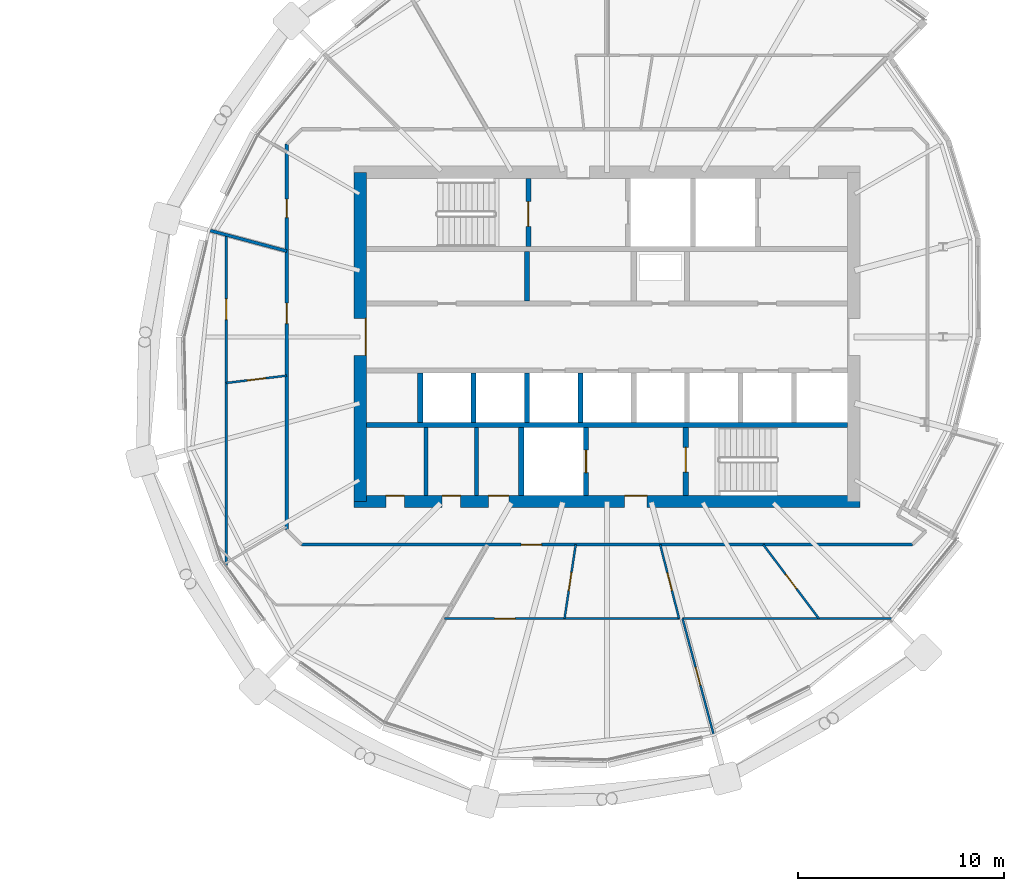
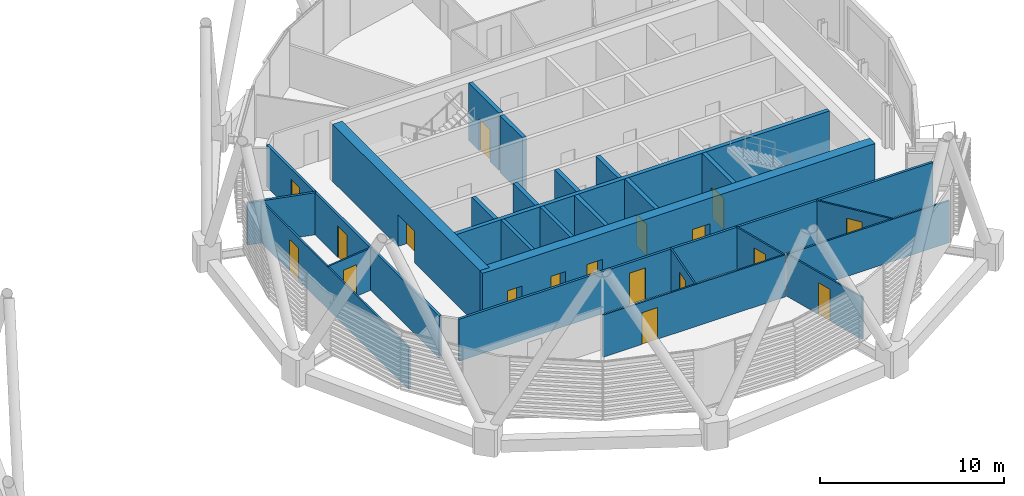
# One storey, part 26 of 35: 25 walls, 18 doors, 18 openings.
"""IFC4 building model written with IfcOpenShell, lengths in metres."""

from ifc_helpers import new_model, si_unit, direction, frame, frame_2d, origin, place, context, subcontext, project, spatial, rectangle, extrude, material, layer, layer_set, type_object, element, fill, save


model = new_model("IFC4")

# Units and contexts
model_context = context("Model", 3, precision=1e-05, world=origin(), true_north=direction((0.0, 1.0)))
body_context = subcontext(model_context, "Body", "Model", "MODEL_VIEW")
ifc_project = project(units=[si_unit("LENGTHUNIT", "METRE"), si_unit("AREAUNIT", "SQUARE_METRE"), si_unit("VOLUMEUNIT", "CUBIC_METRE"), si_unit("PLANEANGLEUNIT", "RADIAN"), si_unit("MASSUNIT", "GRAM", prefix="KILO")], contexts=[model_context])

# Site, building, storey
site_placement = place(None, origin())
site = spatial("IfcSite", under=ifc_project, at=site_placement, CompositionType="ELEMENT")
building_placement = place(site_placement, origin())
building = spatial("IfcBuilding", under=site, at=building_placement, Name="Rimbun Link Towers", CompositionType="ELEMENT")
storey_placement = place(building_placement, frame((0.0, 0.0, 181.699951171875)))
storey = spatial("IfcBuildingStorey", under=building, at=storey_placement, Name="L44", CompositionType="ELEMENT", Elevation=181.699951171875)

# Walls
ifc_material_1 = material(Name="Masonry blockwork", Category="masonry")
ifc_layer_1 = layer(ifc_material_1, 0.199951171875)
ifc_layer_set_1 = layer_set([ifc_layer_1], Name="Core partition 200")
wall_type_1 = type_object("IfcWallType", Name="Core partition 200", PredefinedType="PARTITIONING", material=ifc_layer_set_1)
for number, where, z_axis, x_axis, name in (
    (1, (22.949951171875, -4.39990234375, 0.0), (0.0, 0.0, 1.0), (0.0, -1.0, 0.0), "L44 T2 core wall C1"),
    (2, (25.39990234375, -4.39990234375, 0.0), (0.0, 0.0, 1.0), (0.0, -1.0, 0.0), "L44 T2 core wall C2"),
):
    element("IfcWall", number, at=place(storey_placement, frame(where, z_axis=z_axis, x_axis=x_axis)), inside=storey, type_object=wall_type_1, Name=name, PredefinedType="PARTITIONING", context=body_context, shape_type="SweptSolid", body=[
        extrude(rectangle(XDim=3.300048828125, YDim=0.199951171875, at=frame_2d((1.64990234375, 0.0))), origin(), (0.0, 0.0, 1.0), 3.800048828125),
    ])

# Wall, openings, doors
ifc_material_2 = material(Name="Concrete C60/75", Category="concrete")
ifc_layer_2 = layer(ifc_material_2, 0.60009765625)
ifc_layer_set_2 = layer_set([ifc_layer_2], Name="Core shear wall 600")
wall_type_2 = type_object("IfcWallType", Name="Core shear wall 600", PredefinedType="SHEAR", material=ifc_layer_set_2)
wall_1_placement = place(storey_placement, frame((19.449951171875, -8.0, 0.0), z_axis=(0.0, 0.0, 1.0), x_axis=(1.0, 0.0, 0.0)))
wall_1 = element("IfcWall", 3, at=wall_1_placement, inside=storey, type_object=wall_type_2, Name="L44 T2 core wall S", PredefinedType="SHEAR", context=body_context, shape_type="SweptSolid", body=[
    extrude(rectangle(XDim=24.60009765625, YDim=0.60009765625, at=frame_2d((12.300048828125, 0.0))), origin(), (0.0, 0.0, 1.0), 3.800048828125),
])
opening_1_placement = place(wall_1_placement, frame((13.14990234375, 0.0, 0.0)))
opening_1 = element("IfcOpeningElement", 4, at=opening_1_placement, cuts=wall_1, Name="Opening C2DCF01S", PredefinedType="OPENING", context=body_context, shape_type="SweptSolid", body=[
    extrude(rectangle(XDim=1.10009765625, YDim=2.10009765625, at=frame_2d((0.550048828125, 1.050048828125))), frame((0.0, 0.31005859375, 0.0), z_axis=(0.0, -1.0, 0.0), x_axis=(1.0, 0.0, 0.0)), (0.0, 0.0, 1.0), 0.6201171875),
])
opening_2_placement = place(wall_1_placement, frame((1.550048828125, 0.0, 0.0)))
opening_2 = element("IfcOpeningElement", 5, at=opening_2_placement, cuts=wall_1, Name="Opening C2DWC02S", PredefinedType="OPENING", context=body_context, shape_type="SweptSolid", body=[
    extrude(rectangle(XDim=0.89990234375, YDim=2.10009765625, at=frame_2d((0.449951171875, 1.050048828125))), frame((0.0, 0.31005859375, 0.0), z_axis=(0.0, -1.0, 0.0), x_axis=(1.0, 0.0, 0.0)), (0.0, 0.0, 1.0), 0.6201171875),
])
opening_3_placement = place(wall_1_placement, frame((4.27490234375, 0.0, 0.0)))
opening_3 = element("IfcOpeningElement", 6, at=opening_3_placement, cuts=wall_1, Name="Opening C2DWC03S", PredefinedType="OPENING", context=body_context, shape_type="SweptSolid", body=[
    extrude(rectangle(XDim=0.89990234375, YDim=2.10009765625, at=frame_2d((0.449951171875, 1.050048828125))), frame((0.0, 0.31005859375, 0.0), z_axis=(0.0, -1.0, 0.0), x_axis=(1.0, 0.0, 0.0)), (0.0, 0.0, 1.0), 0.6201171875),
])
opening_4_placement = place(wall_1_placement, frame((6.52490234375, 0.0, 0.0)))
opening_4 = element("IfcOpeningElement", 7, at=opening_4_placement, cuts=wall_1, Name="Opening C2DAW04S", PredefinedType="OPENING", context=body_context, shape_type="SweptSolid", body=[
    extrude(rectangle(XDim=1.0, YDim=2.10009765625, at=frame_2d((0.5, 1.050048828125))), frame((0.0, 0.31005859375, 0.0), z_axis=(0.0, -1.0, 0.0), x_axis=(1.0, 0.0, 0.0)), (0.0, 0.0, 1.0), 0.6201171875),
])
ifc_material_3 = material(Name="Timber", Category="wood")
door_type_1 = type_object("IfcDoorType", Name="Accessible WC door", OperationType="SINGLE_SWING_LEFT", PredefinedType="DOOR", material=ifc_material_3)
door_1_placement = place(opening_4_placement, origin())
door_1 = element("IfcDoor", 8, at=door_1_placement, inside=storey, type_object=door_type_1, Name="L44 T2 accessible wc door", OperationType="SINGLE_SWING_LEFT", OverallHeight=2.10009765625, OverallWidth=1.0, PredefinedType="DOOR", context=body_context, shape_type="SweptSolid", body=[
    extrude(rectangle(XDim=1.0, YDim=2.10009765625, at=frame_2d((0.5, 1.050048828125))), frame((0.0, 0.2998046875, 0.0), z_axis=(0.0, -1.0, 0.0), x_axis=(1.0, 0.0, 0.0)), (0.0, 0.0, 1.0), 0.050048828125),
])
fill(opening_4, door_1)
ifc_material_4 = material(Name="Steel fire door set", Category="steel")
door_type_2 = type_object("IfcDoorType", Name="Core fire door single", OperationType="SINGLE_SWING_LEFT", PredefinedType="DOOR", material=ifc_material_4)
door_2_placement = place(opening_1_placement, origin())
door_2 = element("IfcDoor", 9, at=door_2_placement, inside=storey, type_object=door_type_2, Name="L44 T2 firefighting lobby s door", OperationType="SINGLE_SWING_RIGHT", OverallHeight=2.10009765625, OverallWidth=1.10009765625, PredefinedType="DOOR", context=body_context, shape_type="SweptSolid", body=[
    extrude(rectangle(XDim=1.10009765625, YDim=2.10009765625, at=frame_2d((0.550048828125, 1.050048828125))), frame((0.0, 0.2998046875, 0.0), z_axis=(0.0, -1.0, 0.0), x_axis=(1.0, 0.0, 0.0)), (0.0, 0.0, 1.0), 0.050048828125),
])
fill(opening_1, door_2)
ifc_material_5 = material(Name="Timber", Category="wood")
door_type_3 = type_object("IfcDoorType", Name="WC door", OperationType="SINGLE_SWING_LEFT", PredefinedType="DOOR", material=ifc_material_5)
door_3_placement = place(opening_2_placement, origin())
door_3 = element("IfcDoor", 10, at=door_3_placement, inside=storey, type_object=door_type_3, Name="L44 T2 male wc door", OperationType="SINGLE_SWING_RIGHT", OverallHeight=2.10009765625, OverallWidth=0.89990234375, PredefinedType="DOOR", context=body_context, shape_type="SweptSolid", body=[
    extrude(rectangle(XDim=0.89990234375, YDim=2.10009765625, at=frame_2d((0.449951171875, 1.050048828125))), frame((0.0, 0.2998046875, 0.0), z_axis=(0.0, -1.0, 0.0), x_axis=(1.0, 0.0, 0.0)), (0.0, 0.0, 1.0), 0.050048828125),
])
fill(opening_2, door_3)
door_4_placement = place(opening_3_placement, origin())
door_4 = element("IfcDoor", 11, at=door_4_placement, inside=storey, type_object=door_type_3, Name="L44 T2 female wc door", OperationType="SINGLE_SWING_RIGHT", OverallHeight=2.10009765625, OverallWidth=0.89990234375, PredefinedType="DOOR", context=body_context, shape_type="SweptSolid", body=[
    extrude(rectangle(XDim=0.89990234375, YDim=2.10009765625, at=frame_2d((0.449951171875, 1.050048828125))), frame((0.0, 0.2998046875, 0.0), z_axis=(0.0, -1.0, 0.0), x_axis=(1.0, 0.0, 0.0)), (0.0, 0.0, 1.0), 0.050048828125),
])
fill(opening_3, door_4)

# Wall, opening, door
wall_2_placement = place(storey_placement, frame((19.75, -8.0, 0.0), z_axis=(0.0, 0.0, 1.0), x_axis=(0.0, 1.0, 0.0)))
wall_2 = element("IfcWall", 12, at=wall_2_placement, inside=storey, type_object=wall_type_2, Name="L44 T2 core wall W", PredefinedType="SHEAR", context=body_context, shape_type="SweptSolid", body=[
    extrude(rectangle(XDim=16.0, YDim=0.60009765625, at=frame_2d((8.0, 0.0))), origin(), (0.0, 0.0, 1.0), 3.800048828125),
])
opening_5_placement = place(wall_2_placement, frame((7.10009765625, 0.0, 0.0)))
opening_5 = element("IfcOpeningElement", 13, at=opening_5_placement, cuts=wall_2, Name="Opening C2DCL01W", PredefinedType="OPENING", context=body_context, shape_type="SweptSolid", body=[
    extrude(rectangle(XDim=1.800048828125, YDim=2.10009765625, at=frame_2d((0.89990234375, 1.050048828125))), frame((0.0, 0.31005859375, 0.0), z_axis=(0.0, -1.0, 0.0), x_axis=(1.0, 0.0, 0.0)), (0.0, 0.0, 1.0), 0.6201171875),
])
ifc_material_6 = material(Name="Steel fire door set", Category="steel")
door_type_4 = type_object("IfcDoorType", Name="Core lobby door double", OperationType="DOUBLE_DOOR_SINGLE_SWING", PredefinedType="DOOR", material=ifc_material_6)
door_5_placement = place(opening_5_placement, origin())
door_5 = element("IfcDoor", 14, at=door_5_placement, inside=storey, type_object=door_type_4, Name="L44 T2 lift lobby door", OperationType="DOUBLE_DOOR_SINGLE_SWING", OverallHeight=2.10009765625, OverallWidth=1.800048828125, PredefinedType="DOOR", context=body_context, shape_type="SweptSolid", body=[
    extrude(rectangle(XDim=1.800048828125, YDim=2.10009765625, at=frame_2d((0.89990234375, 1.050048828125))), frame((0.0, -0.25, 0.0), z_axis=(0.0, -1.0, 0.0), x_axis=(1.0, 0.0, 0.0)), (0.0, 0.0, 1.0), 0.050048828125),
])
fill(opening_5, door_5)

ifc_material_7 = material(Name="Plasterboard on steel stud, mineral wool", Category="steel")
ifc_layer_3 = layer(ifc_material_7, 0.14990234375)
ifc_layer_set_3 = layer_set([ifc_layer_3], Name="Corridor wall EI 30 150 mm")
wall_type_3 = type_object("IfcWallType", Name="Corridor wall EI 30 150 mm", PredefinedType="PARTITIONING", material=ifc_layer_set_3)
wall_3_placement = place(storey_placement, frame((46.603759765625, -10.094970703125, 0.0), z_axis=(0.0, 0.0, 1.0), x_axis=(-1.0, 0.0, 0.0)))
wall_3 = element("IfcWall", 15, at=wall_3_placement, inside=storey, type_object=wall_type_3, Name="Corridor wall EI 30 150 mm", PredefinedType="PARTITIONING", context=body_context, shape_type="SweptSolid", body=[
    extrude(rectangle(XDim=29.70751953125, YDim=0.14990234375, at=frame_2d((14.853759765625, 0.0))), origin(), (0.0, 0.0, 1.0), 2.7890625),
])
opening_6_placement = place(wall_3_placement, frame((18.02978515625, 0.0, 0.0)))
opening_6 = element("IfcOpeningElement", 16, at=opening_6_placement, cuts=wall_3, Name="Opening D01", PredefinedType="OPENING", context=body_context, shape_type="SweptSolid", body=[
    extrude(rectangle(XDim=1.0, YDim=2.10009765625, at=frame_2d((0.5, 1.050048828125))), frame((0.0, 0.0849609375, 0.0), z_axis=(0.0, -1.0, 0.0), x_axis=(1.0, 0.0, 0.0)), (0.0, 0.0, 1.0), 0.169921875),
])
ifc_material_8 = material(Name="Fire-resisting timber door leaf", Category="wood")
door_type_5 = type_object("IfcDoorType", Name="Fire door FD30S 1000", OperationType="NOTDEFINED", PredefinedType="DOOR", material=ifc_material_8)
door_6_placement = place(opening_6_placement, origin())
door_6 = element("IfcDoor", 17, at=door_6_placement, inside=storey, type_object=door_type_5, Name="Fire door FD30S 1000 to Tenant lobby", OperationType="SINGLE_SWING_RIGHT", OverallHeight=2.10009765625, OverallWidth=1.0, PredefinedType="DOOR", context=body_context, shape_type="SweptSolid", body=[
    extrude(rectangle(XDim=1.0, YDim=2.10009765625, at=frame_2d((0.5, 1.050048828125))), frame((0.0, 0.02490234375, 0.0), z_axis=(0.0, -1.0, 0.0), x_axis=(1.0, 0.0, 0.0)), (0.0, 0.0, 1.0), 0.050048828125),
])
fill(opening_6, door_6)

# Wall, openings, doors
wall_4_placement = place(storey_placement, frame((16.175048828125, -9.373779296875, 0.0), z_axis=(0.0, 0.0, 1.0), x_axis=(0.0, 1.0, 0.0)))
wall_4 = element("IfcWall", 18, at=wall_4_placement, inside=storey, type_object=wall_type_3, Name="Corridor wall EI 30 150 mm", PredefinedType="PARTITIONING", context=body_context, shape_type="SweptSolid", body=[
    extrude(rectangle(XDim=18.74755859375, YDim=0.14990234375, at=frame_2d((9.373779296875, 0.0))), origin(), (0.0, 0.0, 1.0), 2.7890625),
])
opening_7_placement = place(wall_4_placement, frame((15.17529296875, 0.0, 0.0)))
opening_7 = element("IfcOpeningElement", 19, at=opening_7_placement, cuts=wall_4, Name="Opening D02", PredefinedType="OPENING", context=body_context, shape_type="SweptSolid", body=[
    extrude(rectangle(XDim=0.89990234375, YDim=2.10009765625, at=frame_2d((0.449951171875, 1.050048828125))), frame((0.0, 0.0849609375, 0.0), z_axis=(0.0, -1.0, 0.0), x_axis=(1.0, 0.0, 0.0)), (0.0, 0.0, 1.0), 0.169921875),
])
opening_8_placement = place(wall_4_placement, frame((10.01904296875, 0.0, 0.0)))
opening_8 = element("IfcOpeningElement", 20, at=opening_8_placement, cuts=wall_4, Name="Opening D01", PredefinedType="OPENING", context=body_context, shape_type="SweptSolid", body=[
    extrude(rectangle(XDim=1.0, YDim=2.10009765625, at=frame_2d((0.5, 1.050048828125))), frame((0.0, 0.0849609375, 0.0), z_axis=(0.0, -1.0, 0.0), x_axis=(1.0, 0.0, 0.0)), (0.0, 0.0, 1.0), 0.169921875),
])
door_7_placement = place(opening_8_placement, origin())
door_7 = element("IfcDoor", 21, at=door_7_placement, inside=storey, type_object=door_type_5, Name="Fire door FD30S 1000 to Tenant lobby", OperationType="SINGLE_SWING_LEFT", OverallHeight=2.10009765625, OverallWidth=1.0, PredefinedType="DOOR", context=body_context, shape_type="SweptSolid", body=[
    extrude(rectangle(XDim=1.0, YDim=2.10009765625, at=frame_2d((0.5, 1.050048828125))), frame((0.0, 0.02490234375, 0.0), z_axis=(0.0, -1.0, 0.0), x_axis=(1.0, 0.0, 0.0)), (0.0, 0.0, 1.0), 0.050048828125),
])
fill(opening_8, door_7)
ifc_material_9 = material(Name="Fire-resisting timber door leaf", Category="wood")
door_type_6 = type_object("IfcDoorType", Name="Fire door FD30S 900", OperationType="NOTDEFINED", PredefinedType="DOOR", material=ifc_material_9)
door_8_placement = place(opening_7_placement, origin())
door_8 = element("IfcDoor", 22, at=door_8_placement, inside=storey, type_object=door_type_6, Name="Fire door FD30S 900 to Meeting room", OperationType="SINGLE_SWING_RIGHT", OverallHeight=2.10009765625, OverallWidth=0.89990234375, PredefinedType="DOOR", context=body_context, shape_type="SweptSolid", body=[
    extrude(rectangle(XDim=0.89990234375, YDim=2.10009765625, at=frame_2d((0.449951171875, 1.050048828125))), frame((0.0, 0.02490234375, 0.0), z_axis=(0.0, -1.0, 0.0), x_axis=(1.0, 0.0, 0.0)), (0.0, 0.0, 1.0), 0.050048828125),
])
fill(opening_7, door_8)

# Wall, opening, door
ifc_material_10 = material(Name="Plasterboard on steel stud", Category="steel")
ifc_layer_4 = layer(ifc_material_10, 0.10009765625)
ifc_layer_set_4 = layer_set([ifc_layer_4], Name="Plasterboard partition 100 mm")
wall_type_4 = type_object("IfcWallType", Name="Plasterboard partition 100 mm", PredefinedType="PARTITIONING", material=ifc_layer_set_4)
wall_5_placement = place(storey_placement, frame((16.175048828125, -1.8828125, 0.0), z_axis=(0.0, 0.0, 1.0), x_axis=(-0.992779371336, -0.119954657473, 0.0)))
wall_5 = element("IfcWall", 23, at=wall_5_placement, inside=storey, type_object=wall_type_4, Name="Plasterboard partition 100 mm", PredefinedType="PARTITIONING", context=body_context, shape_type="SweptSolid", body=[
    extrude(rectangle(XDim=2.96142578125, YDim=0.10009765625, at=frame_2d((1.480712890625, 0.0))), origin(), (0.0, 0.0, 1.0), 2.7890625),
])
opening_9_placement = place(wall_5_placement, frame((1.03076171875, 0.0, 0.0)))
opening_9 = element("IfcOpeningElement", 24, at=opening_9_placement, cuts=wall_5, Name="Opening D04", PredefinedType="OPENING", context=body_context, shape_type="SweptSolid", body=[
    extrude(rectangle(XDim=0.89990234375, YDim=2.10009765625, at=frame_2d((0.449951171875, 1.050048828125))), frame((0.0, 0.06005859375, 0.0), z_axis=(0.0, -1.0, 0.0), x_axis=(1.0, 0.0, 0.0)), (0.0, 0.0, 1.0), 0.1201171875),
])
ifc_material_11 = material(Name="Timber door leaf", Category="wood")
door_type_7 = type_object("IfcDoorType", Name="Flush door 900", OperationType="NOTDEFINED", PredefinedType="DOOR", material=ifc_material_11)
door_9_placement = place(opening_9_placement, origin())
door_9 = element("IfcDoor", 25, at=door_9_placement, inside=storey, type_object=door_type_7, Name="Flush door 900 to Data room", OperationType="SINGLE_SWING_LEFT", OverallHeight=2.10009765625, OverallWidth=0.89990234375, PredefinedType="DOOR", context=body_context, shape_type="SweptSolid", body=[
    extrude(rectangle(XDim=0.89990234375, YDim=2.10009765625, at=frame_2d((0.449951171875, 1.050048828125))), frame((0.0, 0.02490234375, 0.0), z_axis=(0.0, -1.0, 0.0), x_axis=(1.0, 0.0, 0.0)), (0.0, 0.0, 1.0), 0.050048828125),
])
fill(opening_9, door_9)

wall_6_placement = place(storey_placement, frame((13.235107421875, -11.111328125, 0.0), z_axis=(0.0, 0.0, 1.0), x_axis=(0.0, 1.0, 0.0)))
wall_6 = element("IfcWall", 26, at=wall_6_placement, inside=storey, type_object=wall_type_4, Name="Plasterboard partition 100 mm", PredefinedType="PARTITIONING", context=body_context, shape_type="SweptSolid", body=[
    extrude(rectangle(XDim=16.072265625, YDim=0.10009765625, at=frame_2d((8.0361328125, 0.0))), origin(), (0.0, 0.0, 1.0), 2.7890625),
])
opening_10_placement = place(wall_6_placement, frame((11.9580078125, 0.0, 0.0)))
opening_10 = element("IfcOpeningElement", 27, at=opening_10_placement, cuts=wall_6, Name="Opening D03", PredefinedType="OPENING", context=body_context, shape_type="SweptSolid", body=[
    extrude(rectangle(XDim=1.0, YDim=2.10009765625, at=frame_2d((0.5, 1.050048828125))), frame((0.0, 0.06005859375, 0.0), z_axis=(0.0, -1.0, 0.0), x_axis=(1.0, 0.0, 0.0)), (0.0, 0.0, 1.0), 0.1201171875),
])
ifc_material_12 = material(Name="Timber door leaf", Category="wood")
door_type_8 = type_object("IfcDoorType", Name="Flush door 1000", OperationType="NOTDEFINED", PredefinedType="DOOR", material=ifc_material_12)
door_10_placement = place(opening_10_placement, origin())
door_10 = element("IfcDoor", 28, at=door_10_placement, inside=storey, type_object=door_type_8, Name="Flush door 1000 to Trading floor", OperationType="SINGLE_SWING_RIGHT", OverallHeight=2.10009765625, OverallWidth=1.0, PredefinedType="DOOR", context=body_context, shape_type="SweptSolid", body=[
    extrude(rectangle(XDim=1.0, YDim=2.10009765625, at=frame_2d((0.5, 1.050048828125))), frame((0.0, 0.02490234375, 0.0), z_axis=(0.0, -1.0, 0.0), x_axis=(1.0, 0.0, 0.0)), (0.0, 0.0, 1.0), 0.050048828125),
])
fill(opening_10, door_10)

wall_7_placement = place(storey_placement, frame((30.22607421875, -10.094970703125, 0.0), z_axis=(0.0, 0.0, 1.0), x_axis=(-0.14926506242, -0.988797219424, 0.0)))
wall_7 = element("IfcWall", 29, at=wall_7_placement, inside=storey, type_object=wall_type_4, Name="Plasterboard partition 100 mm", PredefinedType="PARTITIONING", context=body_context, shape_type="SweptSolid", body=[
    extrude(rectangle(XDim=3.640869140625, YDim=0.10009765625, at=frame_2d((1.8203125, 0.0))), origin(), (0.0, 0.0, 1.0), 2.7890625),
])
opening_11_placement = place(wall_7_placement, frame((1.370361328125, 0.0, 0.0)))
opening_11 = element("IfcOpeningElement", 30, at=opening_11_placement, cuts=wall_7, Name="Opening D04", PredefinedType="OPENING", context=body_context, shape_type="SweptSolid", body=[
    extrude(rectangle(XDim=0.89990234375, YDim=2.10009765625, at=frame_2d((0.449951171875, 1.050048828125))), frame((0.0, 0.06005859375, 0.0), z_axis=(0.0, -1.0, 0.0), x_axis=(1.0, 0.0, 0.0)), (0.0, 0.0, 1.0), 0.1201171875),
])
door_11_placement = place(opening_11_placement, origin())
door_11 = element("IfcDoor", 31, at=door_11_placement, inside=storey, type_object=door_type_7, Name="Flush door 900 to Huddle room", OperationType="SINGLE_SWING_LEFT", OverallHeight=2.10009765625, OverallWidth=0.89990234375, PredefinedType="DOOR", context=body_context, shape_type="SweptSolid", body=[
    extrude(rectangle(XDim=0.89990234375, YDim=2.10009765625, at=frame_2d((0.449951171875, 1.050048828125))), frame((0.0, 0.02490234375, 0.0), z_axis=(0.0, -1.0, 0.0), x_axis=(1.0, 0.0, 0.0)), (0.0, 0.0, 1.0), 0.050048828125),
])
fill(opening_11, door_11)

wall_8_placement = place(storey_placement, frame((35.2822265625, -13.695068359375, 0.0), z_axis=(0.0, 0.0, 1.0), x_axis=(-1.0, 0.0, 0.0)))
wall_8 = element("IfcWall", 32, at=wall_8_placement, inside=storey, type_object=wall_type_4, Name="Plasterboard partition 100 mm", PredefinedType="PARTITIONING", context=body_context, shape_type="SweptSolid", body=[
    extrude(rectangle(XDim=11.43896484375, YDim=0.10009765625, at=frame_2d((5.719482421875, 0.0))), origin(), (0.0, 0.0, 1.0), 2.7890625),
])
opening_12_placement = place(wall_8_placement, frame((8.004150390625, 0.0, 0.0)))
opening_12 = element("IfcOpeningElement", 33, at=opening_12_placement, cuts=wall_8, Name="Opening D03", PredefinedType="OPENING", context=body_context, shape_type="SweptSolid", body=[
    extrude(rectangle(XDim=1.0, YDim=2.10009765625, at=frame_2d((0.5, 1.050048828125))), frame((0.0, 0.06005859375, 0.0), z_axis=(0.0, -1.0, 0.0), x_axis=(1.0, 0.0, 0.0)), (0.0, 0.0, 1.0), 0.1201171875),
])
door_12_placement = place(opening_12_placement, origin())
door_12 = element("IfcDoor", 34, at=door_12_placement, inside=storey, type_object=door_type_8, Name="Flush door 1000 to Open office", OperationType="SINGLE_SWING_RIGHT", OverallHeight=2.10009765625, OverallWidth=1.0, PredefinedType="DOOR", context=body_context, shape_type="SweptSolid", body=[
    extrude(rectangle(XDim=1.0, YDim=2.10009765625, at=frame_2d((0.5, 1.050048828125))), frame((0.0, 0.02490234375, 0.0), z_axis=(0.0, -1.0, 0.0), x_axis=(1.0, 0.0, 0.0)), (0.0, 0.0, 1.0), 0.050048828125),
])
fill(opening_12, door_12)

wall_9_placement = place(storey_placement, frame((34.331787109375, -10.094970703125, 0.0), z_axis=(0.0, 0.0, 1.0), x_axis=(0.247757243211, -0.968822144894, 0.0)))
wall_9 = element("IfcWall", 35, at=wall_9_placement, inside=storey, type_object=wall_type_4, Name="Plasterboard partition 100 mm", PredefinedType="PARTITIONING", context=body_context, shape_type="SweptSolid", body=[
    extrude(rectangle(XDim=3.716064453125, YDim=0.10009765625, at=frame_2d((1.85791015625, 0.0))), origin(), (0.0, 0.0, 1.0), 2.7890625),
])
opening_13_placement = place(wall_9_placement, frame((1.407958984375, 0.0, 0.0)))
opening_13 = element("IfcOpeningElement", 36, at=opening_13_placement, cuts=wall_9, Name="Opening D04", PredefinedType="OPENING", context=body_context, shape_type="SweptSolid", body=[
    extrude(rectangle(XDim=0.89990234375, YDim=2.10009765625, at=frame_2d((0.449951171875, 1.050048828125))), frame((0.0, 0.06005859375, 0.0), z_axis=(0.0, -1.0, 0.0), x_axis=(1.0, 0.0, 0.0)), (0.0, 0.0, 1.0), 0.1201171875),
])
door_13_placement = place(opening_13_placement, origin())
door_13 = element("IfcDoor", 37, at=door_13_placement, inside=storey, type_object=door_type_7, Name="Flush door 900 to Huddle room", OperationType="SINGLE_SWING_RIGHT", OverallHeight=2.10009765625, OverallWidth=0.89990234375, PredefinedType="DOOR", context=body_context, shape_type="SweptSolid", body=[
    extrude(rectangle(XDim=0.89990234375, YDim=2.10009765625, at=frame_2d((0.449951171875, 1.050048828125))), frame((0.0, 0.02490234375, 0.0), z_axis=(0.0, -1.0, 0.0), x_axis=(1.0, 0.0, 0.0)), (0.0, 0.0, 1.0), 0.050048828125),
])
fill(opening_13, door_13)

wall_10_placement = place(storey_placement, frame((39.3427734375, -10.094970703125, 0.0), z_axis=(0.0, 0.0, 1.0), x_axis=(0.601057423131, -0.79920583963, 0.0)))
wall_10 = element("IfcWall", 38, at=wall_10_placement, inside=storey, type_object=wall_type_4, Name="Plasterboard partition 100 mm", PredefinedType="PARTITIONING", context=body_context, shape_type="SweptSolid", body=[
    extrude(rectangle(XDim=4.504638671875, YDim=0.10009765625, at=frame_2d((2.25244140625, 0.0))), origin(), (0.0, 0.0, 1.0), 2.7890625),
])
opening_14_placement = place(wall_10_placement, frame((1.80224609375, 0.0, 0.0)))
opening_14 = element("IfcOpeningElement", 39, at=opening_14_placement, cuts=wall_10, Name="Opening D04", PredefinedType="OPENING", context=body_context, shape_type="SweptSolid", body=[
    extrude(rectangle(XDim=0.89990234375, YDim=2.10009765625, at=frame_2d((0.449951171875, 1.050048828125))), frame((0.0, 0.06005859375, 0.0), z_axis=(0.0, -1.0, 0.0), x_axis=(1.0, 0.0, 0.0)), (0.0, 0.0, 1.0), 0.1201171875),
])
door_14_placement = place(opening_14_placement, origin())
door_14 = element("IfcDoor", 40, at=door_14_placement, inside=storey, type_object=door_type_7, Name="Flush door 900 to Pantry", OperationType="SINGLE_SWING_LEFT", OverallHeight=2.10009765625, OverallWidth=0.89990234375, PredefinedType="DOOR", context=body_context, shape_type="SweptSolid", body=[
    extrude(rectangle(XDim=0.89990234375, YDim=2.10009765625, at=frame_2d((0.449951171875, 1.050048828125))), frame((0.0, 0.02490234375, 0.0), z_axis=(0.0, -1.0, 0.0), x_axis=(1.0, 0.0, 0.0)), (0.0, 0.0, 1.0), 0.050048828125),
])
fill(opening_14, door_14)

# Wall
wall_11_placement = place(storey_placement, frame((35.41943359375, -13.695068359375, 0.0), z_axis=(0.0, 0.0, 1.0), x_axis=(1.0, 0.0, 0.0)))
element("IfcWall", 41, at=wall_11_placement, inside=storey, type_object=wall_type_4, Name="Plasterboard partition 100 mm", PredefinedType="PARTITIONING", context=body_context, shape_type="SweptSolid", body=[
    extrude(rectangle(XDim=10.150390625, YDim=0.10009765625, at=frame_2d((5.0751953125, 0.0))), origin(), (0.0, 0.0, 1.0), 2.7890625),
])

# Wall, opening, door
wall_12_placement = place(storey_placement, frame((35.41943359375, -13.695068359375, 0.0), z_axis=(0.0, 0.0, 1.0), x_axis=(0.258823048205, -0.965924753652, 0.0)))
wall_12 = element("IfcWall", 42, at=wall_12_placement, inside=storey, type_object=wall_type_4, Name="Plasterboard partition 100 mm", PredefinedType="PARTITIONING", context=body_context, shape_type="SweptSolid", body=[
    extrude(rectangle(XDim=5.80029296875, YDim=0.10009765625, at=frame_2d((2.900146484375, 0.0))), origin(), (0.0, 0.0, 1.0), 2.7890625),
])
opening_15_placement = place(wall_12_placement, frame((2.4501953125, 0.0, 0.0)))
opening_15 = element("IfcOpeningElement", 43, at=opening_15_placement, cuts=wall_12, Name="Opening D04", PredefinedType="OPENING", context=body_context, shape_type="SweptSolid", body=[
    extrude(rectangle(XDim=0.89990234375, YDim=2.10009765625, at=frame_2d((0.449951171875, 1.050048828125))), frame((0.0, 0.06005859375, 0.0), z_axis=(0.0, -1.0, 0.0), x_axis=(1.0, 0.0, 0.0)), (0.0, 0.0, 1.0), 0.1201171875),
])
door_15_placement = place(opening_15_placement, origin())
door_15 = element("IfcDoor", 44, at=door_15_placement, inside=storey, type_object=door_type_7, Name="Flush door 900 to Project room", OperationType="SINGLE_SWING_LEFT", OverallHeight=2.10009765625, OverallWidth=0.89990234375, PredefinedType="DOOR", context=body_context, shape_type="SweptSolid", body=[
    extrude(rectangle(XDim=0.89990234375, YDim=2.10009765625, at=frame_2d((0.449951171875, 1.050048828125))), frame((0.0, 0.02490234375, 0.0), z_axis=(0.0, -1.0, 0.0), x_axis=(1.0, 0.0, 0.0)), (0.0, 0.0, 1.0), 0.050048828125),
])
fill(opening_15, door_15)

# Walls
ifc_material_13 = material(Name="Concrete C60/75", Category="concrete")
ifc_layer_5 = layer(ifc_material_13, 0.25)
ifc_layer_set_5 = layer_set([ifc_layer_5], Name="Shaft wall 250")
wall_type_5 = type_object("IfcWallType", Name="Shaft wall 250", PredefinedType="SHEAR", material=ifc_layer_set_5)
wall_13_placement = place(storey_placement, frame((20.050048828125, -4.27490234375, 0.0), z_axis=(0.0, 0.0, 1.0), x_axis=(1.0, 0.0, 0.0)))
element("IfcWall", 45, at=wall_13_placement, inside=storey, type_object=wall_type_5, Name="L44 T2 core wall BS", PredefinedType="SHEAR", context=body_context, shape_type="SweptSolid", body=[
    extrude(rectangle(XDim=23.39990234375, YDim=0.25, at=frame_2d((11.699951171875, 0.0))), origin(), (0.0, 0.0, 1.0), 3.800048828125),
])
for number, where, z_axis, x_axis, name in (
    (46, (27.8583984375, 1.75, 0.0), (0.0, 0.0, 1.0), (0.0, 1.0, 0.0), "L44 T2 core wall DN2"),
    (47, (22.66943359375, -4.14990234375, 0.0), (0.0, 0.0, 1.0), (0.0, 1.0, 0.0), "L44 T2 core wall DS0"),
    (48, (25.263916015625, -4.14990234375, 0.0), (0.0, 0.0, 1.0), (0.0, 1.0, 0.0), "L44 T2 core wall DS1"),
    (49, (27.8583984375, -4.14990234375, 0.0), (0.0, 0.0, 1.0), (0.0, 1.0, 0.0), "L44 T2 core wall DS2"),
    (50, (30.452880859375, -4.14990234375, 0.0), (0.0, 0.0, 1.0), (0.0, 1.0, 0.0), "L44 T2 core wall DS3"),
):
    element("IfcWall", number, at=place(storey_placement, frame(where, z_axis=z_axis, x_axis=x_axis)), inside=storey, type_object=wall_type_5, Name=name, PredefinedType="SHEAR", context=body_context, shape_type="SweptSolid", body=[
        extrude(rectangle(XDim=2.39990234375, YDim=0.25, at=frame_2d((1.199951171875, 0.0))), origin(), (0.0, 0.0, 1.0), 3.800048828125),
    ])

# Wall, opening, door
wall_14_placement = place(storey_placement, frame((27.925048828125, 4.39990234375, 0.0), z_axis=(0.0, 0.0, 1.0), x_axis=(0.0, 1.0, 0.0)))
wall_14 = element("IfcWall", 51, at=wall_14_placement, inside=storey, type_object=wall_type_5, Name="L44 T2 core wall A1", PredefinedType="SHEAR", context=body_context, shape_type="SweptSolid", body=[
    extrude(rectangle(XDim=3.300048828125, YDim=0.25, at=frame_2d((1.64990234375, 0.0))), origin(), (0.0, 0.0, 1.0), 3.800048828125),
])
opening_16_placement = place(wall_14_placement, frame((0.97509765625, 0.0, 0.0)))
opening_16 = element("IfcOpeningElement", 52, at=opening_16_placement, cuts=wall_14, Name="Opening C2DST01A1", PredefinedType="OPENING", context=body_context, shape_type="SweptSolid", body=[
    extrude(rectangle(XDim=1.199951171875, YDim=2.10009765625, at=frame_2d((0.60009765625, 1.050048828125))), frame((0.0, 0.135009765625, 0.0), z_axis=(0.0, -1.0, 0.0), x_axis=(1.0, 0.0, 0.0)), (0.0, 0.0, 1.0), 0.27001953125),
])
ifc_material_14 = material(Name="Steel fire door set", Category="steel")
door_type_9 = type_object("IfcDoorType", Name="Stair door", OperationType="SINGLE_SWING_LEFT", PredefinedType="DOOR", material=ifc_material_14)
door_16_placement = place(opening_16_placement, origin())
door_16 = element("IfcDoor", 53, at=door_16_placement, inside=storey, type_object=door_type_9, Name="L44 T2 stair a door", OperationType="SINGLE_SWING_RIGHT", OverallHeight=2.10009765625, OverallWidth=1.199951171875, PredefinedType="DOOR", context=body_context, shape_type="SweptSolid", body=[
    extrude(rectangle(XDim=1.199951171875, YDim=2.10009765625, at=frame_2d((0.60009765625, 1.050048828125))), frame((0.0, 0.02490234375, 0.0), z_axis=(0.0, -1.0, 0.0), x_axis=(1.0, 0.0, 0.0)), (0.0, 0.0, 1.0), 0.050048828125),
])
fill(opening_16, door_16)

wall_15_placement = place(storey_placement, frame((35.574951171875, -4.39990234375, 0.0), z_axis=(0.0, 0.0, 1.0), x_axis=(0.0, -1.0, 0.0)))
wall_15 = element("IfcWall", 54, at=wall_15_placement, inside=storey, type_object=wall_type_5, Name="L44 T2 core wall B1", PredefinedType="SHEAR", context=body_context, shape_type="SweptSolid", body=[
    extrude(rectangle(XDim=3.300048828125, YDim=0.25, at=frame_2d((1.64990234375, 0.0))), origin(), (0.0, 0.0, 1.0), 3.800048828125),
])
opening_17_placement = place(wall_15_placement, frame((0.97509765625, 0.0, 0.0)))
opening_17 = element("IfcOpeningElement", 55, at=opening_17_placement, cuts=wall_15, Name="Opening C2DST01B1", PredefinedType="OPENING", context=body_context, shape_type="SweptSolid", body=[
    extrude(rectangle(XDim=1.199951171875, YDim=2.10009765625, at=frame_2d((0.60009765625, 1.050048828125))), frame((0.0, 0.135009765625, 0.0), z_axis=(0.0, -1.0, 0.0), x_axis=(1.0, 0.0, 0.0)), (0.0, 0.0, 1.0), 0.27001953125),
])
door_17_placement = place(opening_17_placement, origin())
door_17 = element("IfcDoor", 56, at=door_17_placement, inside=storey, type_object=door_type_9, Name="L44 T2 stair b door", OperationType="SINGLE_SWING_RIGHT", OverallHeight=2.10009765625, OverallWidth=1.199951171875, PredefinedType="DOOR", context=body_context, shape_type="SweptSolid", body=[
    extrude(rectangle(XDim=1.199951171875, YDim=2.10009765625, at=frame_2d((0.60009765625, 1.050048828125))), frame((0.0, 0.02490234375, 0.0), z_axis=(0.0, -1.0, 0.0), x_axis=(1.0, 0.0, 0.0)), (0.0, 0.0, 1.0), 0.050048828125),
])
fill(opening_17, door_17)

wall_16_placement = place(storey_placement, frame((30.72509765625, -4.39990234375, 0.0), z_axis=(0.0, 0.0, 1.0), x_axis=(0.0, -1.0, 0.0)))
wall_16 = element("IfcWall", 57, at=wall_16_placement, inside=storey, type_object=wall_type_5, Name="L44 T2 core wall B2", PredefinedType="SHEAR", context=body_context, shape_type="SweptSolid", body=[
    extrude(rectangle(XDim=3.300048828125, YDim=0.25, at=frame_2d((1.64990234375, 0.0))), origin(), (0.0, 0.0, 1.0), 3.800048828125),
])
opening_18_placement = place(wall_16_placement, frame((1.10009765625, 0.0, 0.0)))
opening_18 = element("IfcOpeningElement", 58, at=opening_18_placement, cuts=wall_16, Name="Opening LD-T2-FF2", PredefinedType="OPENING", context=body_context, shape_type="SweptSolid", body=[
    extrude(rectangle(XDim=1.10009765625, YDim=2.10009765625, at=frame_2d((0.550048828125, 1.050048828125))), frame((0.0, 0.135009765625, 0.0), z_axis=(0.0, -1.0, 0.0), x_axis=(1.0, 0.0, 0.0)), (0.0, 0.0, 1.0), 0.27001953125),
])
ifc_material_15 = material(Name="Stainless steel grade 316", Category="steel")
door_type_10 = type_object("IfcDoorType", Name="Lift landing door", OperationType="DOUBLE_DOOR_SLIDING", PredefinedType="DOOR", material=ifc_material_15)
door_18_placement = place(opening_18_placement, origin())
door_18 = element("IfcDoor", 59, at=door_18_placement, inside=storey, type_object=door_type_10, Name="L44 T2 lift FF2 landing door", OperationType="DOUBLE_DOOR_SLIDING", OverallHeight=2.10009765625, OverallWidth=1.10009765625, PredefinedType="DOOR", context=body_context, shape_type="SweptSolid", body=[
    extrude(rectangle(XDim=1.10009765625, YDim=2.10009765625, at=frame_2d((0.550048828125, 1.050048828125))), frame((0.0, 0.02490234375, 0.0), z_axis=(0.0, -1.0, 0.0), x_axis=(1.0, 0.0, 0.0)), (0.0, 0.0, 1.0), 0.050048828125),
])
fill(opening_18, door_18)

# Walls
wall_17_placement = place(storey_placement, frame((27.574951171875, -4.39990234375, 0.0), z_axis=(0.0, 0.0, 1.0), x_axis=(0.0, -1.0, 0.0)))
element("IfcWall", 60, at=wall_17_placement, inside=storey, type_object=wall_type_5, Name="L44 T2 core wall B3", PredefinedType="SHEAR", context=body_context, shape_type="SweptSolid", body=[
    extrude(rectangle(XDim=3.300048828125, YDim=0.25, at=frame_2d((1.64990234375, 0.0))), origin(), (0.0, 0.0, 1.0), 3.800048828125),
])
ifc_material_16 = material(Name="Plasterboard on steel stud, mineral wool", Category="steel")
ifc_layer_6 = layer(ifc_material_16, 0.14990234375)
ifc_layer_set_6 = layer_set([ifc_layer_6], Name="Tenancy separation wall EI 60 150 mm")
wall_type_6 = type_object("IfcWallType", Name="Tenancy separation wall EI 60 150 mm", PredefinedType="PARTITIONING", material=ifc_layer_set_6)
wall_18_placement = place(storey_placement, frame((16.175048828125, 4.17333984375, 0.0), z_axis=(0.0, 0.0, 1.0), x_axis=(-0.965936741728, 0.258778304693, 0.0)))
element("IfcWall", 61, at=wall_18_placement, inside=storey, type_object=wall_type_6, Name="Tenancy separation wall EI 60 150 mm", PredefinedType="PARTITIONING", context=body_context, shape_type="SweptSolid", body=[
    extrude(rectangle(XDim=3.85400390625, YDim=0.14990234375, at=frame_2d((1.927001953125, 0.0))), origin(), (0.0, 0.0, 1.0), 2.7890625),
])

save(model, "model.ifc")
